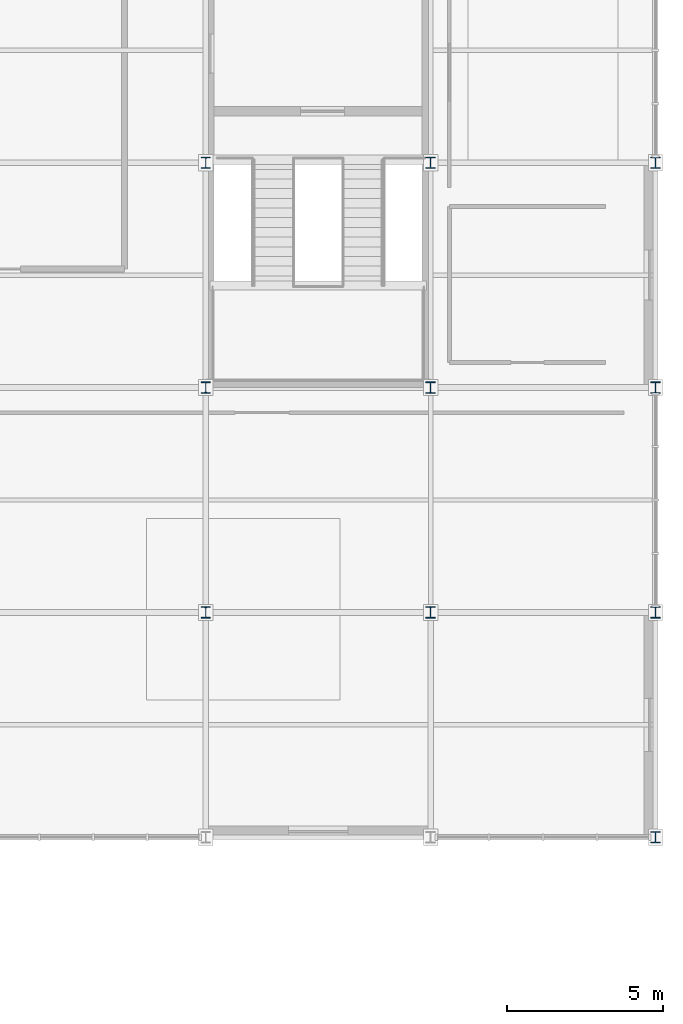
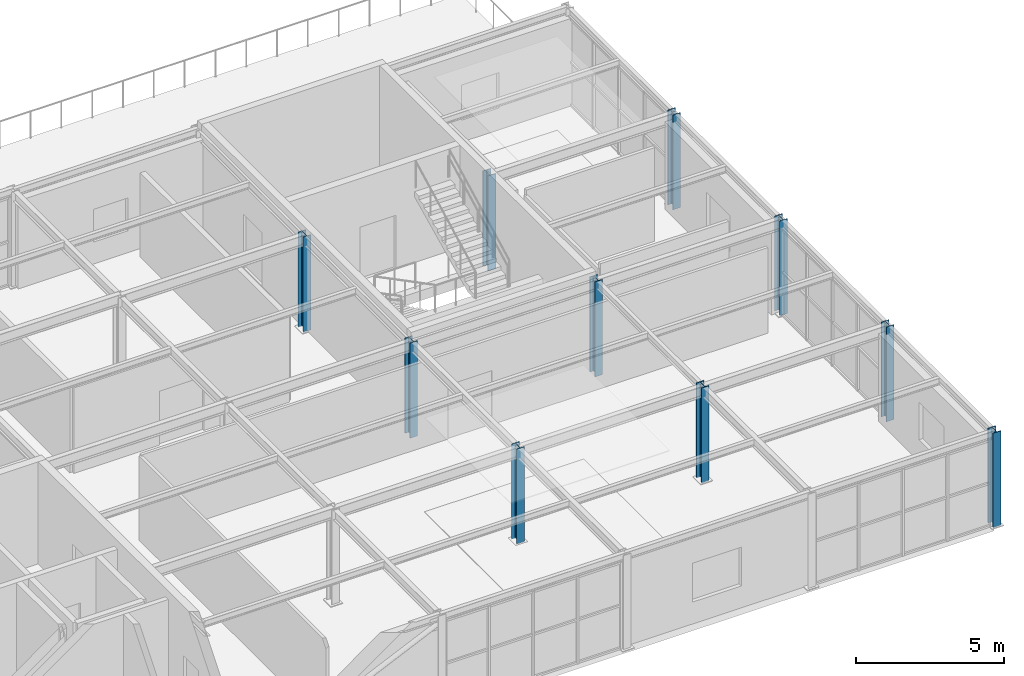
# One storey, part 5 of 30: 10 columns.
"""IFC4 building model written with IfcOpenShell, lengths in metres."""

from ifc_helpers import new_model, si_unit, direction, frame, origin, origin_2d, place, context, subcontext, project, spatial, i_section, extrude, material, material_profile, profile_set, type_object, element, save


model = new_model("IFC4")

# Units and contexts
model_context = context("Model", 3, precision=1e-05, world=origin(), true_north=direction((0.0, 1.0)))
body_context = subcontext(model_context, "Body", "Model", "MODEL_VIEW")
ifc_project = project(units=[si_unit("LENGTHUNIT", "METRE"), si_unit("AREAUNIT", "SQUARE_METRE"), si_unit("VOLUMEUNIT", "CUBIC_METRE"), si_unit("PLANEANGLEUNIT", "RADIAN"), si_unit("MASSUNIT", "GRAM", prefix="KILO")], contexts=[model_context])

# Site, building, storey
site_placement = place(None, origin())
site = spatial("IfcSite", under=ifc_project, at=site_placement, CompositionType="ELEMENT")
building_placement = place(site_placement, origin())
building = spatial("IfcBuilding", under=site, at=building_placement, Name="Leyfeld Transit Interchange", CompositionType="ELEMENT")
storey_placement = place(building_placement, frame((0.0, 0.0, 13.800048828125)))
storey = spatial("IfcBuildingStorey", under=building, at=storey_placement, Name="L03", CompositionType="ELEMENT", Elevation=13.800048828125)

# Columns
ifc_material = material(Name="Steel S355J2", Category="steel")
ifc_material_profile = material_profile(ifc_material, i_section(OverallWidth=0.300048828125, OverallDepth=0.360107421875, WebThickness=0.012451171875, FlangeThickness=0.0224609375, FilletRadius=0.027099609375, at=origin_2d()), Name="HEB 360")
ifc_profile_set = profile_set([ifc_material_profile], Name="Steel S355J2")
column_type = type_object("IfcColumnType", Name="COL-STL-HEB360", PredefinedType="COLUMN", material=ifc_profile_set)
for number, where, z_axis, x_axis, name in (
    (1, (165.60009765625, 64.800048828125, 0.0), (0.0, 0.0, 1.0), (1.0, 0.0, 0.0), "Column COL-L03-1656_0648"),
    (2, (165.60009765625, 72.0, 0.0), (0.0, 0.0, 1.0), (1.0, 0.0, 0.0), "Column COL-L03-1656_0720"),
    (3, (165.60009765625, 79.199951171875, 0.0), (0.0, 0.0, 1.0), (1.0, 0.0, 0.0), "Column COL-L03-1656_0792"),
    (4, (172.800048828125, 64.800048828125, 0.0), (0.0, 0.0, 1.0), (1.0, 0.0, 0.0), "Column COL-L03-1728_0648"),
    (5, (172.800048828125, 72.0, 0.0), (0.0, 0.0, 1.0), (1.0, 0.0, 0.0), "Column COL-L03-1728_0720"),
    (6, (172.800048828125, 79.199951171875, 0.0), (0.0, 0.0, 1.0), (1.0, 0.0, 0.0), "Column COL-L03-1728_0792"),
):
    element("IfcColumn", number, at=place(storey_placement, frame(where, z_axis=z_axis, x_axis=x_axis)), inside=storey, type_object=column_type, Name=name, PredefinedType="COLUMN", context=body_context, shape_type="SweptSolid", body=[
        extrude(i_section(OverallWidth=0.300048828125, OverallDepth=0.360107421875, WebThickness=0.012451171875, FlangeThickness=0.0224609375, FilletRadius=0.027099609375, at=origin_2d()), origin(), (0.0, 0.0, 1.0), 3.919921875),
    ])
for number, where, z_axis, x_axis, name in (
    (7, (180.0, 57.60009765625, 0.0), (0.0, 0.0, 1.0), (1.0, 0.0, 0.0), "Column COL-L03-1800_0576"),
    (8, (180.0, 64.800048828125, 0.0), (0.0, 0.0, 1.0), (1.0, 0.0, 0.0), "Column COL-L03-1800_0648"),
    (9, (180.0, 72.0, 0.0), (0.0, 0.0, 1.0), (1.0, 0.0, 0.0), "Column COL-L03-1800_0720"),
    (10, (180.0, 79.199951171875, 0.0), (0.0, 0.0, 1.0), (1.0, 0.0, 0.0), "Column COL-L03-1800_0792"),
):
    element("IfcColumn", number, at=place(storey_placement, frame(where, z_axis=z_axis, x_axis=x_axis)), inside=storey, type_object=column_type, Name=name, PredefinedType="COLUMN", context=body_context, shape_type="SweptSolid", body=[
        extrude(i_section(OverallWidth=0.300048828125, OverallDepth=0.360107421875, WebThickness=0.012451171875, FlangeThickness=0.0224609375, FilletRadius=0.027099609375, at=origin_2d()), origin(), (0.0, 0.0, 1.0), 3.89990234375),
    ])

save(model, "model.ifc")
